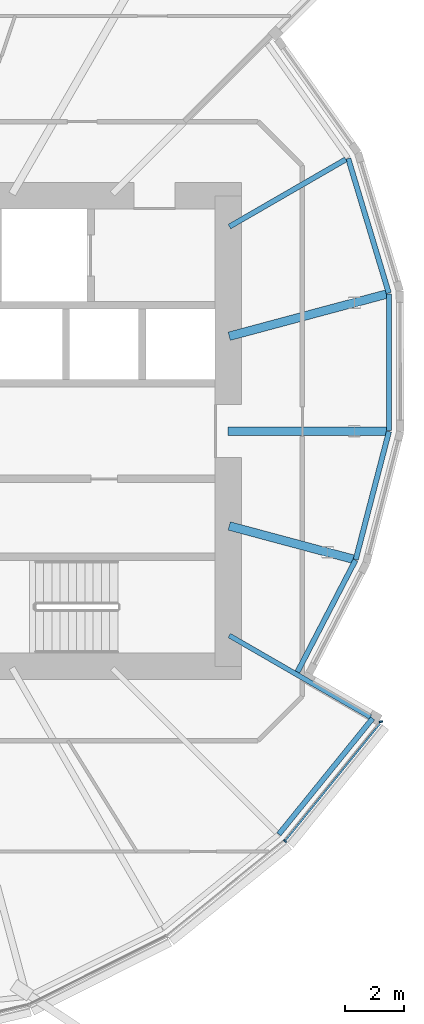
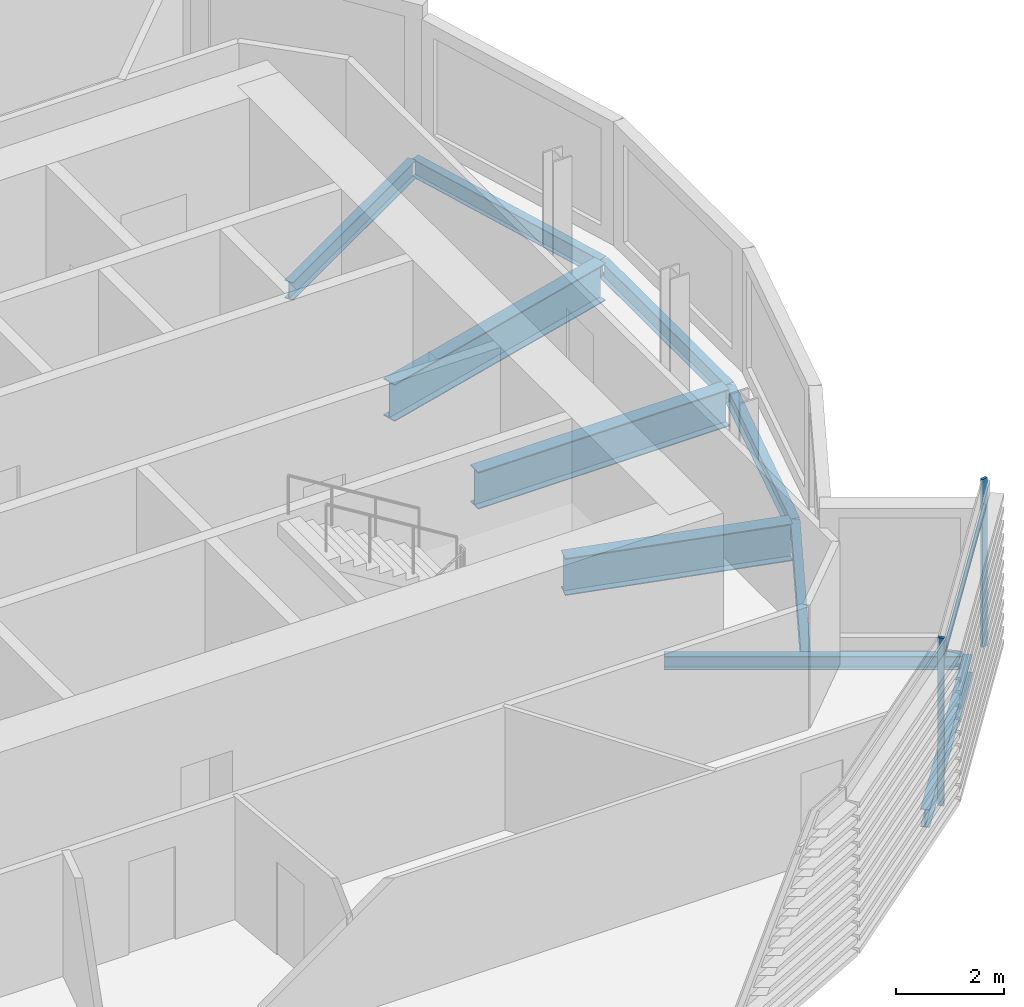
# One storey, part 15 of 36: 10 beams, 3 members, 1 element without a shape of its own.
"""IFC4 building model written with IfcOpenShell, lengths in metres."""

from ifc_helpers import new_model, si_unit, direction, frame, origin, origin_2d, place, context, subcontext, project, spatial, rectangle, i_section, extrude, material, material_profile, profile_set, type_object, element, aggregate, save


model = new_model("IFC4")

# Units and contexts
model_context = context("Model", 3, precision=1e-05, world=origin(), true_north=direction((0.0, 1.0)))
body_context = subcontext(model_context, "Body", "Model", "MODEL_VIEW")
ifc_project = project(units=[si_unit("LENGTHUNIT", "METRE"), si_unit("AREAUNIT", "SQUARE_METRE"), si_unit("VOLUMEUNIT", "CUBIC_METRE"), si_unit("PLANEANGLEUNIT", "RADIAN"), si_unit("MASSUNIT", "GRAM", prefix="KILO")], contexts=[model_context])

# Site, building, storey
site_placement = place(None, origin())
site = spatial("IfcSite", under=ifc_project, at=site_placement, CompositionType="ELEMENT")
building_placement = place(site_placement, origin())
building = spatial("IfcBuilding", under=site, at=building_placement, Name="Rimbun Link Towers", CompositionType="ELEMENT")
storey_placement = place(building_placement, frame((0.0, 0.0, 37.60009765625)))
storey = spatial("IfcBuildingStorey", under=building, at=storey_placement, Name="L08", CompositionType="ELEMENT", Elevation=37.60009765625)

# Curtain wall, members
ifc_material_1 = material(Name="Aluminium 6063-T6 and low-iron glass", Category="aluminium")
curtain_wall_type = type_object("IfcCurtainWallType", Name="CW1 unitised vision wall", PredefinedType="NOTDEFINED", material=ifc_material_1)
curtain_wall_placement = place(storey_placement, origin())
curtain_wall = element("IfcCurtainWall", 1, at=curtain_wall_placement, inside=storey, type_object=curtain_wall_type, Name="CW1 L08 T2", PredefinedType="NOTDEFINED")
ifc_material_2 = material(Name="Aluminium 6063-T6", Category="aluminium")
ifc_material_profile_1 = material_profile(ifc_material_2, rectangle(XDim=0.1201171875, YDim=0.06005859375, at=origin_2d()), Name="MULLION 60X120")
ifc_profile_set_1 = profile_set([ifc_material_profile_1], Name="Aluminium 6063-T6")
member_type_1 = type_object("IfcMemberType", Name="CW1 mullion 60X120", PredefinedType="MULLION", material=ifc_profile_set_1)
member_1_placement = place(storey_placement, frame((45.68994140625, -13.93994140625, 0.0), z_axis=(0.0, 0.0, 1.0), x_axis=(0.707106781187, -0.707106781187, 0.0)))
member_1 = element("IfcMember", 2, at=member_1_placement, type_object=member_type_1, Name="CW1 mullion", PredefinedType="MULLION", context=body_context, shape_type="SweptSolid", body=[
    extrude(rectangle(XDim=0.1201171875, YDim=0.06005859375, at=origin_2d()), origin(), (0.0, 0.0, 1.0), 3.7998046875),
])
member_2_placement = place(storey_placement, frame((48.94677734375, -9.883544921875, 0.0), z_axis=(0.0, 0.0, 1.0), x_axis=(0.983234652014, 0.182344780786, 0.0)))
member_2 = element("IfcMember", 3, at=member_2_placement, type_object=member_type_1, Name="CW1 mullion", PredefinedType="MULLION", context=body_context, shape_type="SweptSolid", body=[
    extrude(rectangle(XDim=0.1201171875, YDim=0.06005859375, at=origin_2d()), origin(), (0.0, 0.0, 1.0), 3.7998046875),
])
ifc_material_3 = material(Name="Aluminium 6063-T6", Category="aluminium")
ifc_material_profile_2 = material_profile(ifc_material_3, rectangle(XDim=0.06005859375, YDim=0.1201171875, at=origin_2d()), Name="TRANSOM 60X120")
ifc_profile_set_2 = profile_set([ifc_material_profile_2], Name="Aluminium 6063-T6")
member_type_2 = type_object("IfcMemberType", Name="CW1 transom 60X120", PredefinedType="USERDEFINED", material=ifc_profile_set_2)
member_3_placement = place(storey_placement, frame((48.9140625, -9.954345703125, 3.199951171875), z_axis=(-0.629136137032, -0.77729513126, 0.0), x_axis=(0.77729513126, -0.629136137032, 0.0)))
member_3 = element("IfcMember", 4, at=member_3_placement, type_object=member_type_2, Name="CW1 transom", ObjectType="TRANSOM", PredefinedType="USERDEFINED", context=body_context, shape_type="SweptSolid", body=[
    extrude(rectangle(XDim=0.06005859375, YDim=0.1201171875, at=origin_2d()), origin(), (0.0, 0.0, 1.0), 5.090087890625),
])
aggregate(curtain_wall, [member_1, member_2, member_3])

# Beams
ifc_material_4 = material(Name="Steel S355J2", Category="steel")
ifc_material_profile_3 = material_profile(ifc_material_4, i_section(OverallWidth=0.1650390625, OverallDepth=0.303466796875, WebThickness=0.006103515625, FlangeThickness=0.01025390625, at=origin_2d()), Name="UB 305x165x40")
ifc_profile_set_3 = profile_set([ifc_material_profile_3], Name="Steel S355J2")
beam_type_1 = type_object("IfcBeamType", Name="UB 305x165x40", PredefinedType="BEAM", material=ifc_profile_set_3)
beam_1_placement = place(storey_placement, frame((43.7919921875, -6.952392578125, -0.311767578125), z_axis=(0.866016055733, -0.50001619095, 0.0), x_axis=(0.50001619095, 0.866016055733, 0.0)))
element("IfcBeam", 5, at=beam_1_placement, inside=storey, type_object=beam_type_1, Name="Radial beam T2 L08 19", PredefinedType="BEAM", context=body_context, shape_type="SweptSolid", body=[
    extrude(i_section(OverallWidth=0.1650390625, OverallDepth=0.303466796875, WebThickness=0.006103515625, FlangeThickness=0.01025390625, at=origin_2d()), origin(), (0.0, 0.0, 1.0), 5.539794921875),
])
ifc_material_5 = material(Name="Steel S355J2", Category="steel")
ifc_material_profile_4 = material_profile(ifc_material_5, i_section(OverallWidth=0.177978515625, OverallDepth=0.406494140625, WebThickness=0.0078125, FlangeThickness=0.0126953125, at=origin_2d()), Name="UB 406x178x60")
ifc_profile_set_4 = profile_set([ifc_material_profile_4], Name="Steel S355J2")
beam_type_2 = type_object("IfcBeamType", Name="UB 406x178x60", PredefinedType="BEAM", material=ifc_profile_set_4)
beam_2_placement = place(storey_placement, frame((43.79541015625, 6.954345703125, -0.36328125), z_axis=(0.866022844324, 0.500004433089, 0.0), x_axis=(-0.500004433089, 0.866022844324, 0.0)))
element("IfcBeam", 6, at=beam_2_placement, inside=storey, type_object=beam_type_2, Name="Radial beam T2 L08 23", PredefinedType="BEAM", context=body_context, shape_type="SweptSolid", body=[
    extrude(i_section(OverallWidth=0.177978515625, OverallDepth=0.406494140625, WebThickness=0.0078125, FlangeThickness=0.0126953125, at=origin_2d()), origin(), (0.0, 0.0, 1.0), 4.57177734375),
])
beam_3_placement = place(storey_placement, frame((45.476318359375, -13.7119140625, -0.36328125), z_axis=(0.629151156334, 0.777282974523, 0.0), x_axis=(-0.777282974523, 0.629151156334, 0.0)))
element("IfcBeam", 7, at=beam_3_placement, inside=storey, type_object=beam_type_2, Name="Edge beam T2 L08 18", PredefinedType="BEAM", context=body_context, shape_type="SweptSolid", body=[
    extrude(i_section(OverallWidth=0.177978515625, OverallDepth=0.406494140625, WebThickness=0.0078125, FlangeThickness=0.0126953125, at=origin_2d()), origin(), (0.0, 0.0, 1.0), 5.072998046875),
])
beam_4_placement = place(storey_placement, frame((46.110595703125, -8.190185546875, -0.36328125), z_axis=(0.460816133871, 0.887495628589, 0.0), x_axis=(-0.887495628589, 0.460816133871, 0.0)))
element("IfcBeam", 8, at=beam_4_placement, inside=storey, type_object=beam_type_2, Name="Edge beam T2 L08 19 recess", PredefinedType="BEAM", context=body_context, shape_type="SweptSolid", body=[
    extrude(i_section(OverallWidth=0.177978515625, OverallDepth=0.406494140625, WebThickness=0.0078125, FlangeThickness=0.0126953125, at=origin_2d()), origin(), (0.0, 0.0, 1.0), 4.283935546875),
])
beam_5_placement = place(storey_placement, frame((48.092529296875, -4.367431640625, -0.36328125), z_axis=(0.251054425117, 0.967972972572, 0.0), x_axis=(-0.967972972572, 0.251054425117, 0.0)))
element("IfcBeam", 9, at=beam_5_placement, inside=storey, type_object=beam_type_2, Name="Edge beam T2 L08 20 recess", PredefinedType="BEAM", context=body_context, shape_type="SweptSolid", body=[
    extrude(i_section(OverallWidth=0.177978515625, OverallDepth=0.406494140625, WebThickness=0.0078125, FlangeThickness=0.0126953125, at=origin_2d()), origin(), (0.0, 0.0, 1.0), 4.49951171875),
])
beam_6_placement = place(storey_placement, frame((49.225341796875, 0.012451171875, -0.36328125), z_axis=(-0.001258850301, 0.999999207648, 0.0), x_axis=(-0.999999207648, -0.001258850301, 0.0)))
element("IfcBeam", 10, at=beam_6_placement, inside=storey, type_object=beam_type_2, Name="Edge beam T2 L08 21 recess", PredefinedType="BEAM", context=body_context, shape_type="SweptSolid", body=[
    extrude(i_section(OverallWidth=0.177978515625, OverallDepth=0.406494140625, WebThickness=0.0078125, FlangeThickness=0.0126953125, at=origin_2d()), origin(), (0.0, 0.0, 1.0), 4.654541015625),
])
beam_7_placement = place(storey_placement, frame((49.21533203125, 4.6943359375, -0.36328125), z_axis=(-0.288369402887, 0.957519236088, 0.0), x_axis=(-0.957519236088, -0.288369402887, 0.0)))
element("IfcBeam", 11, at=beam_7_placement, inside=storey, type_object=beam_type_2, Name="Edge beam T2 L08 22 recess", PredefinedType="BEAM", context=body_context, shape_type="SweptSolid", body=[
    extrude(i_section(OverallWidth=0.177978515625, OverallDepth=0.406494140625, WebThickness=0.0078125, FlangeThickness=0.0126953125, at=origin_2d()), origin(), (0.0, 0.0, 1.0), 4.779296875),
])
ifc_material_6 = material(Name="Steel S355J2", Category="steel")
ifc_material_profile_5 = material_profile(ifc_material_6, i_section(OverallWidth=0.29248046875, OverallDepth=0.8408203125, WebThickness=0.0126953125, FlangeThickness=0.021728515625, at=origin_2d()), Name="UB 838x292x194")
ifc_profile_set_5 = profile_set([ifc_material_profile_5], Name="Steel S355J2")
beam_type_3 = type_object("IfcBeamType", Name="UB 838x292x194", PredefinedType="BEAM", material=ifc_profile_set_5)
beam_8_placement = place(storey_placement, frame((43.788818359375, -3.225830078125, -0.580322265625), z_axis=(0.965933313032, -0.258791102582, 0.0), x_axis=(0.258791102582, 0.965933313032, 0.0)))
element("IfcBeam", 12, at=beam_8_placement, inside=storey, type_object=beam_type_3, Name="Radial beam T2 L08 20", PredefinedType="BEAM", context=body_context, shape_type="SweptSolid", body=[
    extrude(i_section(OverallWidth=0.29248046875, OverallDepth=0.8408203125, WebThickness=0.0126953125, FlangeThickness=0.021728515625, at=origin_2d()), origin(), (0.0, 0.0, 1.0), 4.3623046875),
])
beam_9_placement = place(storey_placement, frame((43.7509765625, 0.0, -0.580322265625), z_axis=(1.0, 0.0, 0.0), x_axis=(0.0, 1.0, 0.0)))
element("IfcBeam", 13, at=beam_9_placement, inside=storey, type_object=beam_type_3, Name="Radial beam T2 L08 21", PredefinedType="BEAM", context=body_context, shape_type="SweptSolid", body=[
    extrude(i_section(OverallWidth=0.29248046875, OverallDepth=0.8408203125, WebThickness=0.0126953125, FlangeThickness=0.021728515625, at=origin_2d()), origin(), (0.0, 0.0, 1.0), 5.3837890625),
])
beam_10_placement = place(storey_placement, frame((43.788818359375, 3.225830078125, -0.580322265625), z_axis=(0.965929533777, 0.258805208173, 0.0), x_axis=(-0.258805208173, 0.965929533777, 0.0)))
element("IfcBeam", 14, at=beam_10_placement, inside=storey, type_object=beam_type_3, Name="Radial beam T2 L08 22", PredefinedType="BEAM", context=body_context, shape_type="SweptSolid", body=[
    extrude(i_section(OverallWidth=0.29248046875, OverallDepth=0.8408203125, WebThickness=0.0126953125, FlangeThickness=0.021728515625, at=origin_2d()), origin(), (0.0, 0.0, 1.0), 5.53173828125),
])

save(model, "model.ifc")
